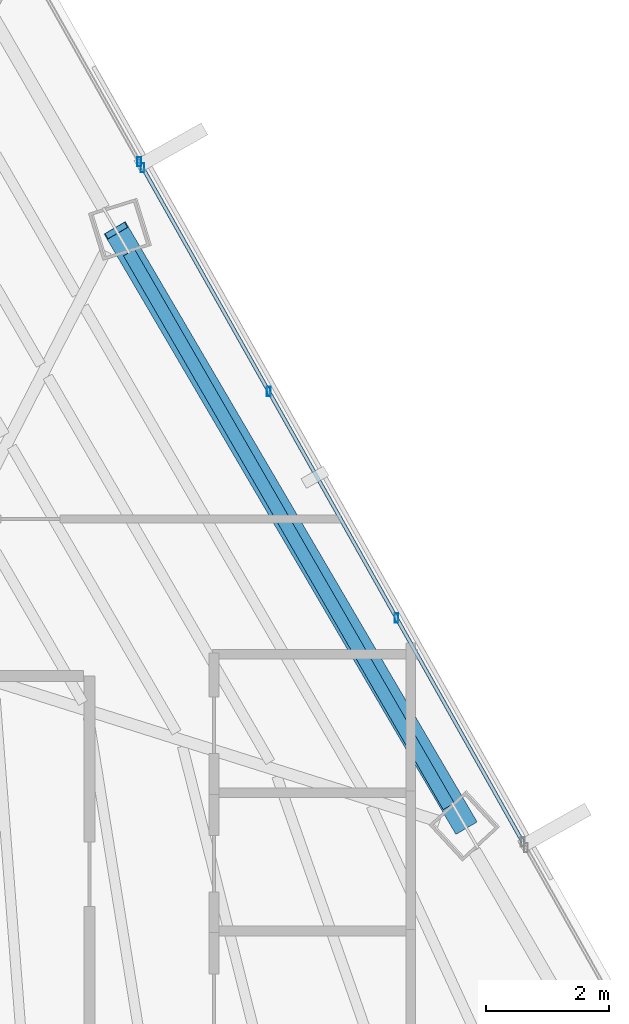
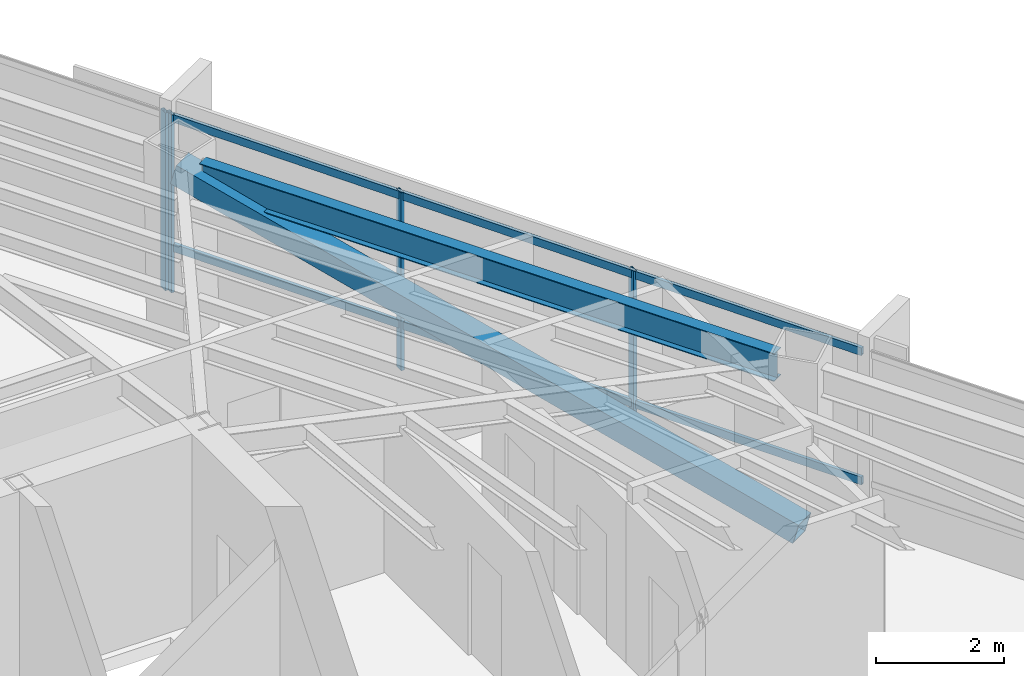
# One storey, part 26 of 42: 7 members, 1 beam, 2 elements without a shape of their own.
"""IFC4 building model written with IfcOpenShell, lengths in metres."""

from ifc_helpers import new_model, si_unit, direction, frame, origin, origin_2d, place, context, subcontext, project, spatial, hollow_rectangle, i_section, extrude, source, transform, mapped, material, material_profile, profile_set, type_object, type_shapes, element, aggregate, save


model = new_model("IFC4")

# Units and contexts
model_context = context("Model", 3, precision=1e-05, world=origin(), true_north=direction((0.0, 1.0)))
body_context = subcontext(model_context, "Body", "Model", "MODEL_VIEW")
ifc_project = project(units=[si_unit("LENGTHUNIT", "METRE"), si_unit("AREAUNIT", "SQUARE_METRE"), si_unit("VOLUMEUNIT", "CUBIC_METRE"), si_unit("PLANEANGLEUNIT", "RADIAN"), si_unit("MASSUNIT", "GRAM", prefix="KILO")], contexts=[model_context])

# Site, building, storey
site_placement = place(None, origin())
site = spatial("IfcSite", under=ifc_project, at=site_placement, CompositionType="ELEMENT")
building_placement = place(site_placement, origin())
building = spatial("IfcBuilding", under=site, at=building_placement, Name="Caelisora Broadcast Tower", CompositionType="ELEMENT")
storey_placement = place(building_placement, frame((0.0, 0.0, 187.699951171875)))
storey = spatial("IfcBuildingStorey", under=building, at=storey_placement, Name="L49", CompositionType="ELEMENT", Elevation=187.699951171875)

# Beam
ifc_material_1 = material(Name="Steel Grade 350 (AS/NZS 3679.1)", Category="steel")
ifc_material_profile_1 = material_profile(ifc_material_1, i_section(OverallWidth=0.208984375, OverallDepth=0.532958984375, WebThickness=0.01025390625, FlangeThickness=0.015625, at=origin_2d()), Name="Steel Grade 350 (AS/NZS 3679.1)")
ifc_profile_set_1 = profile_set([ifc_material_profile_1], Name="Steel Grade 350 (AS/NZS 3679.1)")
beam_type = type_object("IfcBeamType", Name="PG05", PredefinedType="BEAM", material=ifc_profile_set_1)
shared_shape_1 = source(origin(), body_context, "Body", "SweptSolid", [
    extrude(i_section(OverallWidth=0.208984375, OverallDepth=0.532958984375, WebThickness=0.01025390625, FlangeThickness=0.015625, at=origin_2d()), origin(), (0.0, 0.0, 1.0), 10.39306640625),
])
type_shapes(beam_type, [shared_shape_1])
beam_placement = place(storey_placement, frame((54.4169921875, 27.477783203125, 3.133544921875), z_axis=(-0.499996963119, 0.866027157121, 0.0), x_axis=(-0.866027157121, -0.499996963119, 0.0)))
element("IfcBeam", 1, at=beam_placement, inside=storey, type_object=beam_type, Name="L49 beam PG05", PredefinedType="BEAM", context=body_context, shape_type="MappedRepresentation", body=[
    mapped(shared_shape_1, transform((0.0, 0.0, 0.0), scale=1.0)),
])

# Member
ifc_material_2 = material(Name="Steel Grade 450 (AS/NZS 1163 C450L0)", Category="steel")
ifc_material_profile_2 = material_profile(ifc_material_2, hollow_rectangle(XDim=0.39990234375, YDim=0.39990234375, WallThickness=0.01611328125, at=origin_2d()), Name="Steel Grade 450 (AS/NZS 1163 C450L0)")
ifc_profile_set_2 = profile_set([ifc_material_profile_2], Name="Steel Grade 450 (AS/NZS 1163 C450L0)")
member_type_1 = type_object("IfcMemberType", Name="BR04", PredefinedType="BRACE", material=ifc_profile_set_2)
shared_shape_2 = source(origin(), body_context, "Body", "SweptSolid", [
    extrude(hollow_rectangle(XDim=0.39990234375, YDim=0.39990234375, WallThickness=0.01611328125, at=origin_2d()), origin(), (0.0, 0.0, 1.0), 11.603515625),
])
type_shapes(member_type_1, [shared_shape_2])
member_1_placement = place(storey_placement, frame((54.679443359375, 27.16796875, 0.10009765625), z_axis=(-0.488386696508, 0.833447088665, 0.258542810904), x_axis=(-0.862781843299, -0.505576394695, 0.0)))
element("IfcMember", 2, at=member_1_placement, inside=storey, type_object=member_type_1, Name="L49 perimeter brace BR04", PredefinedType="BRACE", context=body_context, shape_type="MappedRepresentation", body=[
    mapped(shared_shape_2, transform((0.0, 0.0, 0.0), scale=1.0)),
])

# Curtain wall, member
ifc_material_3 = material(Name="Unitised Aluminium and Low-E Glass Curtain Wall", Category="glass")
curtain_wall_type_1 = type_object("IfcCurtainWallType", Name="CW-Z4", PredefinedType="NOTDEFINED", material=ifc_material_3)
curtain_wall_1_placement = place(storey_placement, origin())
curtain_wall_1 = element("IfcCurtainWall", 3, at=curtain_wall_1_placement, inside=storey, type_object=curtain_wall_type_1, Name="L49 curtain wall CW-Z4", PredefinedType="NOTDEFINED")
ifc_material_4 = material(Name="Aluminium 6063-T6 Anodised Terracotta Bronze", Category="aluminium")
ifc_material_profile_3 = material_profile(ifc_material_4, hollow_rectangle(XDim=0.06005859375, YDim=0.14990234375, WallThickness=0.00341796875, at=origin_2d()), Name="Aluminium 6063-T6 Anodised Terracotta Bronze")
ifc_profile_set_3 = profile_set([ifc_material_profile_3], Name="Aluminium 6063-T6 Anodised Terracotta Bronze")
member_type_2 = type_object("IfcMemberType", Name="CWM-03", PredefinedType="MULLION", material=ifc_profile_set_3)
shared_shape_3 = source(origin(), body_context, "Body", "SweptSolid", [
    extrude(hollow_rectangle(XDim=0.06005859375, YDim=0.14990234375, WallThickness=0.00341796875, at=origin_2d()), origin(), (0.0, 0.0, 1.0), 3.400146484375),
])
type_shapes(member_type_2, [shared_shape_3])
member_2_placement = place(storey_placement, frame((49.38671875, 37.9560546875, 0.0), z_axis=(0.0, 0.0, 1.0), x_axis=(1.0, 0.0, 0.0)))
member_2 = element("IfcMember", 4, at=member_2_placement, type_object=member_type_2, Name="L49-CW-B01 mullion #3", PredefinedType="MULLION", context=body_context, shape_type="MappedRepresentation", body=[
    mapped(shared_shape_3, transform((0.0, 0.0, 0.0), scale=1.0)),
])
aggregate(curtain_wall_1, [member_2])

# Curtain wall, members
ifc_material_5 = material(Name="Unitised Aluminium Insulated Shadow-Box Spandrel Curtain Wall", Category="aluminium")
curtain_wall_type_2 = type_object("IfcCurtainWallType", Name="CW-SP2", PredefinedType="NOTDEFINED", material=ifc_material_5)
curtain_wall_2_placement = place(storey_placement, origin())
curtain_wall_2 = element("IfcCurtainWall", 5, at=curtain_wall_2_placement, inside=storey, type_object=curtain_wall_type_2, Name="L49 curtain wall CW-SP2", PredefinedType="NOTDEFINED")
member_3_placement = place(storey_placement, frame((49.440673828125, 37.860107421875, 0.0), z_axis=(0.0, 0.0, 1.0), x_axis=(1.0, 0.0, 0.0)))
member_3 = element("IfcMember", 6, at=member_3_placement, type_object=member_type_2, Name="L49-CW-B02 mullion #0", PredefinedType="MULLION", context=body_context, shape_type="MappedRepresentation", body=[
    mapped(shared_shape_3, transform((0.0, 0.0, 0.0), scale=1.0)),
])
member_4_placement = place(storey_placement, frame((51.491943359375, 34.22119140625, 0.0), z_axis=(0.0, 0.0, 1.0), x_axis=(1.0, 0.0, 0.0)))
member_4 = element("IfcMember", 7, at=member_4_placement, type_object=member_type_2, Name="L49-CW-B02 mullion #1", PredefinedType="MULLION", context=body_context, shape_type="MappedRepresentation", body=[
    mapped(shared_shape_3, transform((0.0, 0.0, 0.0), scale=1.0)),
])
member_5_placement = place(storey_placement, frame((53.56787109375, 30.538818359375, 0.0), z_axis=(0.0, 0.0, 1.0), x_axis=(1.0, 0.0, 0.0)))
member_5 = element("IfcMember", 8, at=member_5_placement, type_object=member_type_2, Name="L49-CW-B02 mullion #2", PredefinedType="MULLION", context=body_context, shape_type="MappedRepresentation", body=[
    mapped(shared_shape_3, transform((0.0, 0.0, 0.0), scale=1.0)),
])
ifc_material_profile_4 = material_profile(ifc_material_4, hollow_rectangle(XDim=0.06005859375, YDim=0.14990234375, WallThickness=0.00341796875, at=origin_2d()), Name="Aluminium 6063-T6 Anodised Terracotta Bronze")
ifc_profile_set_4 = profile_set([ifc_material_profile_4], Name="Aluminium 6063-T6 Anodised Terracotta Bronze")
member_type_3 = type_object("IfcMemberType", Name="CWT-02", PredefinedType="USERDEFINED", material=ifc_profile_set_4)
shared_shape_4 = source(origin(), body_context, "Body", "SweptSolid", [
    extrude(hollow_rectangle(XDim=0.06005859375, YDim=0.14990234375, WallThickness=0.00341796875, at=origin_2d()), origin(), (0.0, 0.0, 1.0), 12.581787109375),
])
type_shapes(member_type_3, [shared_shape_4])
member_6_placement = place(storey_placement, frame((49.440673828125, 37.860107421875, 0.85009765625), z_axis=(0.491067147441, -0.871121723242, 0.0), x_axis=(0.871121723242, 0.491067147441, 0.0)))
member_6 = element("IfcMember", 9, at=member_6_placement, type_object=member_type_3, Name="L49-CW-B02 transom #1", ObjectType="TRANSOM", PredefinedType="USERDEFINED", context=body_context, shape_type="MappedRepresentation", body=[
    mapped(shared_shape_4, transform((0.0, 0.0, 0.0), scale=1.0)),
])
member_7_placement = place(storey_placement, frame((49.440673828125, 37.860107421875, 3.320068359375), z_axis=(0.491067147441, -0.871121723242, 0.0), x_axis=(0.871121723242, 0.491067147441, 0.0)))
member_7 = element("IfcMember", 10, at=member_7_placement, type_object=member_type_3, Name="L49-CW-B02 transom #2", ObjectType="TRANSOM", PredefinedType="USERDEFINED", context=body_context, shape_type="MappedRepresentation", body=[
    mapped(shared_shape_4, transform((0.0, 0.0, 0.0), scale=1.0)),
])
aggregate(curtain_wall_2, [member_3, member_4, member_5, member_6, member_7])

save(model, "model.ifc")
